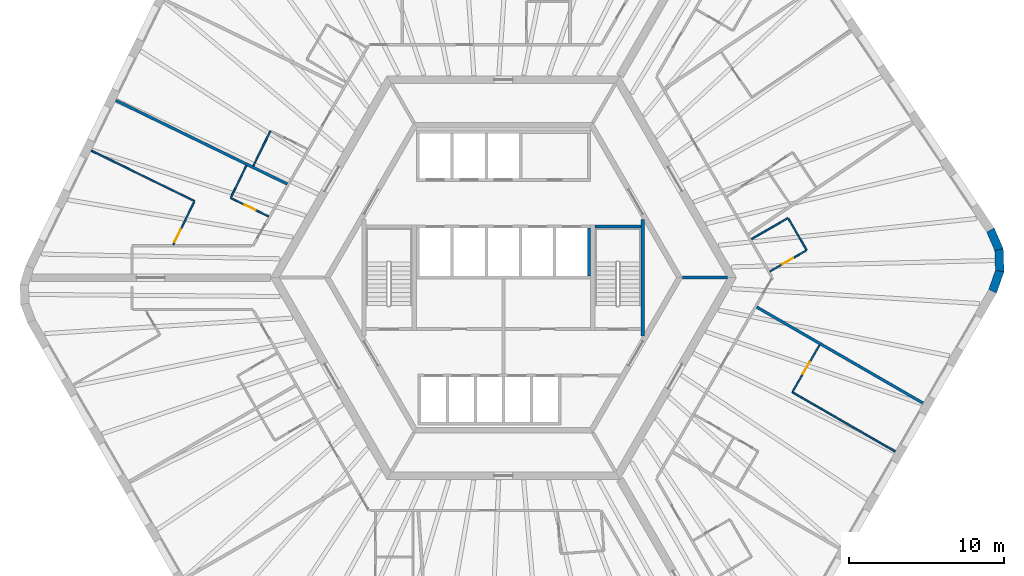
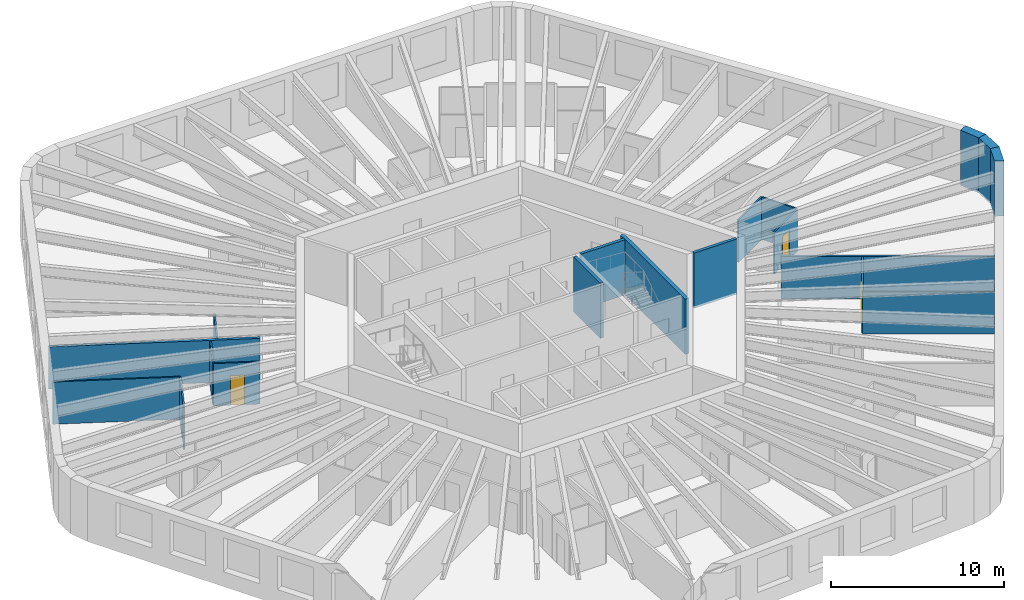
# One storey, part 6 of 10: 19 walls, 4 doors, 4 openings.
"""IFC4 building model written with IfcOpenShell, lengths in metres."""

from ifc_helpers import new_model, si_unit, direction, frame, frame_2d, origin, place, context, subcontext, project, spatial, polyline, rectangle, outline, extrude, material, layer, layer_set, type_object, element, fill, save


model = new_model("IFC4")

# Units and contexts
model_context = context("Model", 3, precision=1e-05, world=origin(), true_north=direction((0.0, 1.0)))
body_context = subcontext(model_context, "Body", "Model", "MODEL_VIEW")
ifc_project = project(units=[si_unit("LENGTHUNIT", "METRE"), si_unit("AREAUNIT", "SQUARE_METRE"), si_unit("VOLUMEUNIT", "CUBIC_METRE"), si_unit("PLANEANGLEUNIT", "RADIAN"), si_unit("MASSUNIT", "GRAM", prefix="KILO")], contexts=[model_context])

# Site, building, storey
site_placement = place(None, origin())
site = spatial("IfcSite", under=ifc_project, at=site_placement, CompositionType="ELEMENT")
building_placement = place(site_placement, origin())
building = spatial("IfcBuilding", under=site, at=building_placement, Name="Tarnside Tower", CompositionType="ELEMENT")
storey_placement = place(building_placement, frame((0.0, 0.0, 187.800048828125)))
storey = spatial("IfcBuildingStorey", under=building, at=storey_placement, Name="L44", CompositionType="ELEMENT", Elevation=187.800048828125)

# Wall
ifc_material_1 = material(Name="Gypsum board partition on steel studs", Category="steel")
ifc_layer_1 = layer(ifc_material_1, 0.10009765625)
ifc_layer_set_1 = layer_set([ifc_layer_1], Name="Bathroom wall 100")
wall_type_1 = type_object("IfcWallType", Name="Bathroom wall 100", PredefinedType="PARTITIONING", material=ifc_layer_set_1)
wall_1_placement = place(storey_placement, frame((-16.107666015625, 7.197509765625, 0.0), z_axis=(0.0, 0.0, 1.0), x_axis=(0.438398718232, 0.898780598284, 0.0)))
element("IfcWall", 1, at=wall_1_placement, inside=storey, type_object=wall_type_1, Name="Bathroom wall 14068", PredefinedType="PARTITIONING", context=body_context, shape_type="SweptSolid", body=[
    extrude(rectangle(XDim=2.510009765625, YDim=0.10009765625, at=frame_2d((1.2548828125, 0.0))), origin(), (0.0, 0.0, 1.0), 2.98779296875),
])

# Wall, opening, door
wall_2_placement = place(storey_placement, frame((-15.127197265625, 3.948974609375, 0.0), z_axis=(0.0, 0.0, 1.0), x_axis=(-0.898788314205, 0.438382899128, 0.0)))
wall_2 = element("IfcWall", 2, at=wall_2_placement, inside=storey, type_object=wall_type_1, Name="Bathroom wall 14073", PredefinedType="PARTITIONING", context=body_context, shape_type="SweptSolid", body=[
    extrude(rectangle(XDim=2.716064453125, YDim=0.10009765625, at=frame_2d((1.35791015625, 0.0))), origin(), (0.0, 0.0, 1.0), 2.98779296875),
])
opening_1_placement = place(wall_2_placement, frame((0.916015625, 0.0, 0.0)))
opening_1 = element("IfcOpeningElement", 3, at=opening_1_placement, cuts=wall_2, Name="Opening D-B1", PredefinedType="OPENING", context=body_context, shape_type="SweptSolid", body=[
    extrude(rectangle(XDim=0.800048828125, YDim=2.10009765625, at=frame_2d((0.39990234375, 1.050048828125))), frame((0.0, 0.06005859375, 0.0), z_axis=(0.0, -1.0, 0.0), x_axis=(1.0, 0.0, 0.0)), (0.0, 0.0, 1.0), 0.1201171875),
])
ifc_material_2 = material(Name="Timber door leaf", Category="wood")
door_type_1 = type_object("IfcDoorType", Name="Bathroom door 800", OperationType="NOTDEFINED", PredefinedType="DOOR", material=ifc_material_2)
door_1_placement = place(opening_1_placement, origin())
door_1 = element("IfcDoor", 4, at=door_1_placement, inside=storey, type_object=door_type_1, Name="Bathroom door 14011", OperationType="SINGLE_SWING_RIGHT", OverallHeight=2.10009765625, OverallWidth=0.800048828125, PredefinedType="DOOR", context=body_context, shape_type="SweptSolid", body=[
    extrude(rectangle(XDim=0.800048828125, YDim=2.10009765625, at=frame_2d((0.39990234375, 1.050048828125))), frame((0.0, 0.02490234375, 0.0), z_axis=(0.0, -1.0, 0.0), x_axis=(1.0, 0.0, 0.0)), (0.0, 0.0, 1.0), 0.050048828125),
])
fill(opening_1, door_1)

# Walls
wall_3_placement = place(storey_placement, frame((-17.54638671875, 5.1845703125, 0.0), z_axis=(0.0, 0.0, 1.0), x_axis=(0.438376807268, 0.898791285477, 0.0)))
element("IfcWall", 5, at=wall_3_placement, inside=storey, type_object=wall_type_1, Name="Bathroom wall 14074", PredefinedType="PARTITIONING", context=body_context, shape_type="SweptSolid", body=[
    extrude(rectangle(XDim=2.260009765625, YDim=0.10009765625, at=frame_2d((1.1298828125, 0.0))), origin(), (0.0, 0.0, 1.0), 2.98779296875),
])
wall_4_placement = place(storey_placement, frame((15.972900390625, 2.484375, 0.0), z_axis=(0.0, 0.0, 1.0), x_axis=(0.866051307416, 0.49995513091, 0.0)))
element("IfcWall", 6, at=wall_4_placement, inside=storey, type_object=wall_type_1, Name="Bathroom wall 14114", PredefinedType="PARTITIONING", context=body_context, shape_type="SweptSolid", body=[
    extrude(rectangle(XDim=2.724853515625, YDim=0.10009765625, at=frame_2d((1.3623046875, 0.0))), origin(), (0.0, 0.0, 1.0), 2.98779296875),
])
wall_5_placement = place(storey_placement, frame((18.357666015625, 3.803466796875, 0.0), z_axis=(0.0, 0.0, 1.0), x_axis=(0.500016218704, -0.866016039709, 0.0)))
element("IfcWall", 7, at=wall_5_placement, inside=storey, type_object=wall_type_1, Name="Bathroom wall 14115", PredefinedType="PARTITIONING", context=body_context, shape_type="SweptSolid", body=[
    extrude(rectangle(XDim=2.35009765625, YDim=0.10009765625, at=frame_2d((1.175048828125, 0.0))), origin(), (0.0, 0.0, 1.0), 2.98779296875),
])

# Wall, opening, door
wall_6_placement = place(storey_placement, frame((19.489501953125, 1.743408203125, 0.0), z_axis=(0.0, 0.0, 1.0), x_axis=(-0.866004723184, -0.50003581814, 0.0)))
wall_6 = element("IfcWall", 8, at=wall_6_placement, inside=storey, type_object=wall_type_1, Name="Bathroom wall 14116", PredefinedType="PARTITIONING", context=body_context, shape_type="SweptSolid", body=[
    extrude(rectangle(XDim=2.675048828125, YDim=0.10009765625, at=frame_2d((1.33740234375, 0.0))), origin(), (0.0, 0.0, 1.0), 2.98779296875),
])
opening_2_placement = place(wall_6_placement, frame((0.949951171875, 0.0, 0.0)))
opening_2 = element("IfcOpeningElement", 9, at=opening_2_placement, cuts=wall_6, Name="Opening D-B1", PredefinedType="OPENING", context=body_context, shape_type="SweptSolid", body=[
    extrude(rectangle(XDim=0.800048828125, YDim=2.10009765625, at=frame_2d((0.39990234375, 1.050048828125))), frame((0.0, 0.06005859375, 0.0), z_axis=(0.0, -1.0, 0.0), x_axis=(1.0, 0.0, 0.0)), (0.0, 0.0, 1.0), 0.1201171875),
])
door_2_placement = place(opening_2_placement, origin())
door_2 = element("IfcDoor", 10, at=door_2_placement, inside=storey, type_object=door_type_1, Name="Bathroom door 14032", OperationType="SINGLE_SWING_RIGHT", OverallHeight=2.10009765625, OverallWidth=0.800048828125, PredefinedType="DOOR", context=body_context, shape_type="SweptSolid", body=[
    extrude(rectangle(XDim=0.800048828125, YDim=2.10009765625, at=frame_2d((0.39990234375, 1.050048828125))), frame((0.0, 0.02490234375, 0.0), z_axis=(0.0, -1.0, 0.0), x_axis=(1.0, 0.0, 0.0)), (0.0, 0.0, 1.0), 0.050048828125),
])
fill(opening_2, door_2)

# Walls
ifc_layer_2 = layer(ifc_material_1, 0.179931640625)
ifc_layer_set_2 = layer_set([ifc_layer_2], Name="Demising wall 180 EI 60")
wall_type_2 = type_object("IfcWallType", Name="Demising wall 180 EI 60", PredefinedType="PARTITIONING", material=ifc_layer_set_2)
wall_7_placement = place(storey_placement, frame((-24.970947265625, 11.420166015625, 0.0), z_axis=(0.0, 0.0, 1.0), x_axis=(0.898797462081, -0.438364143329, 0.0)))
element("IfcWall", 11, at=wall_7_placement, inside=storey, type_object=wall_type_2, Name="Demising wall 14070", PredefinedType="PARTITIONING", context=body_context, shape_type="SweptSolid", body=[
    extrude(rectangle(XDim=12.29052734375, YDim=0.179931640625, at=frame_2d((6.145263671875, 0.0))), origin(), (0.0, 0.0, 1.0), 2.98779296875),
])
wall_8_placement = place(storey_placement, frame((27.03125, -8.080322265625, 0.0), z_axis=(0.0, 0.0, 1.0), x_axis=(-0.866024931941, 0.500000817256, 0.0)))
element("IfcWall", 12, at=wall_8_placement, inside=storey, type_object=wall_type_2, Name="Demising wall 14111", PredefinedType="PARTITIONING", context=body_context, shape_type="SweptSolid", body=[
    extrude(rectangle(XDim=12.375, YDim=0.179931640625, at=frame_2d((6.1875, 0.0))), origin(), (0.0, 0.0, 1.0), 2.98779296875),
])
ifc_material_3 = material(Name="Concrete C40/50", Category="concrete")
ifc_layer_3 = layer(ifc_material_3, 0.199951171875)
ifc_layer_set_3 = layer_set([ifc_layer_3], Name="Lift shaft wall 200 C40/50")
wall_type_3 = type_object("IfcWallType", Name="Lift shaft wall 200 C40/50", PredefinedType="SHEAR", material=ifc_layer_set_3)
wall_9_placement = place(storey_placement, frame((5.5, 0.10009765625, -0.25), z_axis=(0.0, 0.0, 1.0), x_axis=(0.0, 1.0, 0.0)))
element("IfcWall", 13, at=wall_9_placement, inside=storey, type_object=wall_type_3, Name="L44 lift shaft partition R26", PredefinedType="SHEAR", context=body_context, shape_type="SweptSolid", body=[
    extrude(rectangle(XDim=3.099853515625, YDim=0.199951171875, at=frame_2d((1.5498046875, 0.0))), origin(), (0.0, 0.0, 1.0), 3.89990234375),
])
wall_10_placement = place(storey_placement, frame((11.547119140625, 0.0, -0.150146484375), z_axis=(0.0, 0.0, 1.0), x_axis=(1.0, 0.0, 0.0)))
element("IfcWall", 14, at=wall_10_placement, inside=storey, type_object=wall_type_3, Name="L44 core partition AR0", PredefinedType="SHEAR", context=body_context, shape_type="SweptSolid", body=[
    extrude(rectangle(XDim=2.88671875, YDim=0.199951171875, at=frame_2d((1.443359375, 0.0))), origin(), (0.0, 0.0, 1.0), 3.900146484375),
])
wall_11_placement = place(storey_placement, frame((5.89990234375, 3.300048828125, -0.25), z_axis=(0.0, 0.0, 1.0), x_axis=(1.0, 0.0, 0.0)))
element("IfcWall", 15, at=wall_11_placement, inside=storey, type_object=wall_type_3, Name="L44 stair 1 enclosure cap wall n", PredefinedType="SHEAR", context=body_context, shape_type="SweptSolid", body=[
    extrude(rectangle(XDim=2.9501953125, YDim=0.199951171875, at=frame_2d((1.47509765625, 0.0))), origin(), (0.0, 0.0, 1.0), 3.89990234375),
])
ifc_layer_4 = layer(ifc_material_1, 0.10009765625)
ifc_layer_set_4 = layer_set([ifc_layer_4], Name="Partition 100")
wall_type_4 = type_object("IfcWallType", Name="Partition 100", PredefinedType="PARTITIONING", material=ifc_layer_set_4)
wall_12_placement = place(storey_placement, frame((-26.549072265625, 8.1845703125, 0.0), z_axis=(0.0, 0.0, 1.0), x_axis=(0.898794104644, -0.438371027163, 0.0)))
element("IfcWall", 16, at=wall_12_placement, inside=storey, type_object=wall_type_4, Name="Partition wall 14075", PredefinedType="PARTITIONING", context=body_context, shape_type="SweptSolid", body=[
    extrude(rectangle(XDim=7.406494140625, YDim=0.10009765625, at=frame_2d((3.703125, 0.0))), origin(), (0.0, 0.0, 1.0), 2.98779296875),
])

# Wall, opening, door
wall_13_placement = place(storey_placement, frame((-19.913818359375, 4.892822265625, 0.0), z_axis=(0.0, 0.0, 1.0), x_axis=(-0.438408012527, -0.898776064741, 0.0)))
wall_13 = element("IfcWall", 17, at=wall_13_placement, inside=storey, type_object=wall_type_4, Name="Partition wall 14076", PredefinedType="PARTITIONING", context=body_context, shape_type="SweptSolid", body=[
    extrude(rectangle(XDim=3.07958984375, YDim=0.10009765625, at=frame_2d((1.539794921875, 0.0))), origin(), (0.0, 0.0, 1.0), 2.98779296875),
])
opening_3_placement = place(wall_13_placement, frame((1.9794921875, 0.0, 0.0)))
opening_3 = element("IfcOpeningElement", 18, at=opening_3_placement, cuts=wall_13, Name="Opening D-I1", PredefinedType="OPENING", context=body_context, shape_type="SweptSolid", body=[
    extrude(rectangle(XDim=0.89990234375, YDim=2.10009765625, at=frame_2d((0.449951171875, 1.050048828125))), frame((0.0, 0.06005859375, 0.0), z_axis=(0.0, -1.0, 0.0), x_axis=(1.0, 0.0, 0.0)), (0.0, 0.0, 1.0), 0.1201171875),
])
door_type_2 = type_object("IfcDoorType", Name="Internal door 900", OperationType="NOTDEFINED", PredefinedType="DOOR", material=ifc_material_2)
door_3_placement = place(opening_3_placement, origin())
door_3 = element("IfcDoor", 19, at=door_3_placement, inside=storey, type_object=door_type_2, Name="Internal door 14012", OperationType="SINGLE_SWING_LEFT", OverallHeight=2.10009765625, OverallWidth=0.89990234375, PredefinedType="DOOR", context=body_context, shape_type="SweptSolid", body=[
    extrude(rectangle(XDim=0.89990234375, YDim=2.10009765625, at=frame_2d((0.449951171875, 1.050048828125))), frame((0.0, 0.02490234375, 0.0), z_axis=(0.0, -1.0, 0.0), x_axis=(1.0, 0.0, 0.0)), (0.0, 0.0, 1.0), 0.050048828125),
])
fill(opening_3, door_3)

# Wall
wall_14_placement = place(storey_placement, frame((25.2314453125, -11.197998046875, 0.0), z_axis=(0.0, 0.0, 1.0), x_axis=(-0.866033062874, 0.499986733834, 0.0)))
element("IfcWall", 20, at=wall_14_placement, inside=storey, type_object=wall_type_4, Name="Partition wall 14109", PredefinedType="PARTITIONING", context=body_context, shape_type="SweptSolid", body=[
    extrude(rectangle(XDim=7.650146484375, YDim=0.10009765625, at=frame_2d((3.8251953125, 0.0))), origin(), (0.0, 0.0, 1.0), 2.98779296875),
])

# Wall, opening, door
wall_15_placement = place(storey_placement, frame((18.63134765625, -7.329833984375, 0.0), z_axis=(0.0, 0.0, 1.0), x_axis=(0.499978980201, 0.866037539231, 0.0)))
wall_15 = element("IfcWall", 21, at=wall_15_placement, inside=storey, type_object=wall_type_4, Name="Partition wall 14110", PredefinedType="PARTITIONING", context=body_context, shape_type="SweptSolid", body=[
    extrude(rectangle(XDim=3.460205078125, YDim=0.10009765625, at=frame_2d((1.72998046875, 0.0))), origin(), (0.0, 0.0, 1.0), 2.98779296875),
])
opening_4_placement = place(wall_15_placement, frame((1.300048828125, 0.0, 0.0)))
opening_4 = element("IfcOpeningElement", 22, at=opening_4_placement, cuts=wall_15, Name="Opening D-I1", PredefinedType="OPENING", context=body_context, shape_type="SweptSolid", body=[
    extrude(rectangle(XDim=0.89990234375, YDim=2.10009765625, at=frame_2d((0.449951171875, 1.050048828125))), frame((0.0, 0.06005859375, 0.0), z_axis=(0.0, -1.0, 0.0), x_axis=(1.0, 0.0, 0.0)), (0.0, 0.0, 1.0), 0.1201171875),
])
door_4_placement = place(opening_4_placement, origin())
door_4 = element("IfcDoor", 23, at=door_4_placement, inside=storey, type_object=door_type_2, Name="Internal door 14030", OperationType="SINGLE_SWING_RIGHT", OverallHeight=2.10009765625, OverallWidth=0.89990234375, PredefinedType="DOOR", context=body_context, shape_type="SweptSolid", body=[
    extrude(rectangle(XDim=0.89990234375, YDim=2.10009765625, at=frame_2d((0.449951171875, 1.050048828125))), frame((0.0, 0.02490234375, 0.0), z_axis=(0.0, -1.0, 0.0), x_axis=(1.0, 0.0, 0.0)), (0.0, 0.0, 1.0), 0.050048828125),
])
fill(opening_4, door_4)

# Walls
ifc_layer_5 = layer(ifc_material_3, 0.25)
ifc_layer_set_5 = layer_set([ifc_layer_5], Name="Stair enclosure wall 250 C40/50")
wall_type_5 = type_object("IfcWallType", Name="Stair enclosure wall 250 C40/50", PredefinedType="SHEAR", material=ifc_layer_set_5)
wall_16_placement = place(storey_placement, frame((8.97509765625, -3.7548828125, -0.25), z_axis=(0.0, 0.0, 1.0), x_axis=(0.0, 1.0, 0.0)))
element("IfcWall", 24, at=wall_16_placement, inside=storey, type_object=wall_type_5, Name="L44 stair 1 enclosure wall outer", PredefinedType="SHEAR", context=body_context, shape_type="SweptSolid", body=[
    extrude(rectangle(XDim=7.509765625, YDim=0.25, at=frame_2d((3.7548828125, 0.0))), origin(), (0.0, 0.0, 1.0), 3.89990234375),
])
ifc_material_4 = material(Name="Facing brick", Category="masonry")
ifc_layer_6 = layer(ifc_material_4, 0.10205078125)
ifc_material_5 = material(Name="Concrete C60/75 precast", Category="concrete")
ifc_layer_7 = layer(ifc_material_5, 0.347900390625)
ifc_material_6 = material(Name="Mineral wool insulation")
ifc_layer_8 = layer(ifc_material_6, 0.10009765625)
ifc_layer_set_6 = layer_set([ifc_layer_6, ifc_layer_7, ifc_layer_8], Name="Tube wall 550 brick faced")
wall_type_6 = type_object("IfcWallType", Name="Tube wall 550 brick faced", PredefinedType="SOLIDWALL", material=ifc_layer_set_6)
wall_17_placement = place(storey_placement, frame((31.509033203125, -0.874755859375, -0.150146484375), z_axis=(0.0, 0.0, 1.0), x_axis=(0.33111537203, 0.943590276765, 0.0)))
element("IfcWall", 25, at=wall_17_placement, inside=storey, type_object=wall_type_6, Name="Tube wall L44 F5 chord 17", PredefinedType="SOLIDWALL", context=body_context, shape_type="SweptSolid", body=[
    extrude(outline(polyline([(-0.025634765625, -0.27490234375), (1.4306640625, -0.27490234375), (1.3271484375, 0.27490234375), (0.025634765625, 0.27490234375), (-0.025634765625, -0.27490234375)])), origin(), (0.0, 0.0, 1.0), 3.900146484375),
])
wall_18_placement = place(storey_placement, frame((31.965576171875, 0.42626953125, -0.150146484375), z_axis=(0.0, 0.0, 1.0), x_axis=(-0.034876908462, 0.999391615562, 0.0)))
element("IfcWall", 26, at=wall_18_placement, inside=storey, type_object=wall_type_6, Name="Tube wall L44 F5 chord 18", PredefinedType="SOLIDWALL", context=body_context, shape_type="SweptSolid", body=[
    extrude(outline(polyline([(-0.0517578125, -0.27490234375), (1.4306640625, -0.27490234375), (1.3271484375, 0.27490234375), (0.0517578125, 0.27490234375), (-0.0517578125, -0.27490234375)])), origin(), (0.0, 0.0, 1.0), 3.900146484375),
])
wall_19_placement = place(storey_placement, frame((31.91748046875, 1.804443359375, -0.150146484375), z_axis=(0.0, 0.0, 1.0), x_axis=(-0.396225741392, 0.918153125496, 0.0)))
element("IfcWall", 27, at=wall_19_placement, inside=storey, type_object=wall_type_6, Name="Tube wall L44 F5 chord 19", PredefinedType="SOLIDWALL", context=body_context, shape_type="SweptSolid", body=[
    extrude(outline(polyline([(-0.0517578125, -0.27490234375), (1.404541015625, -0.27490234375), (1.353271484375, 0.27490234375), (0.0517578125, 0.27490234375), (-0.0517578125, -0.27490234375)])), origin(), (0.0, 0.0, 1.0), 3.900146484375),
])

save(model, "model.ifc")
